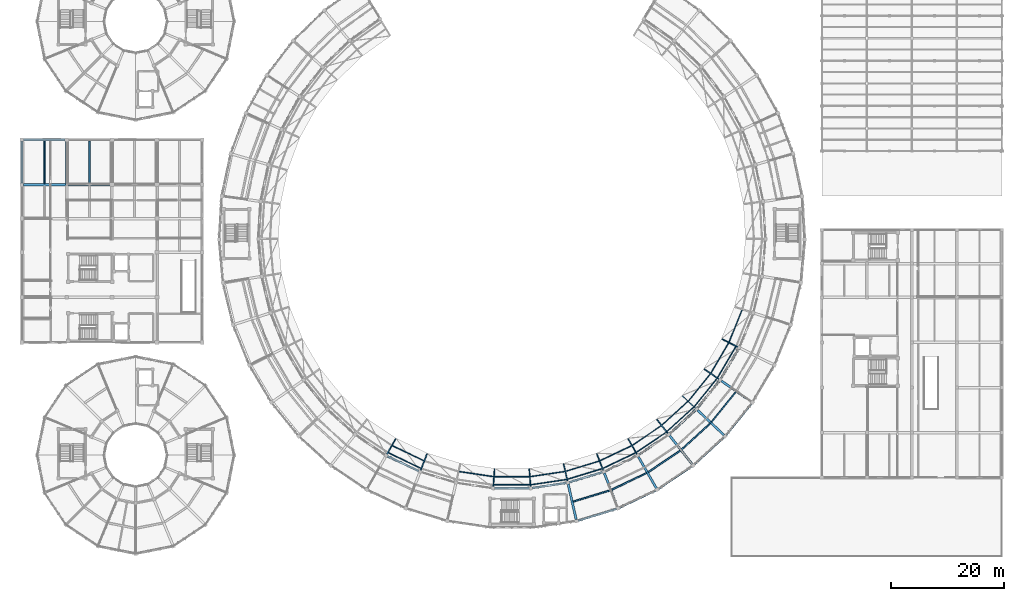
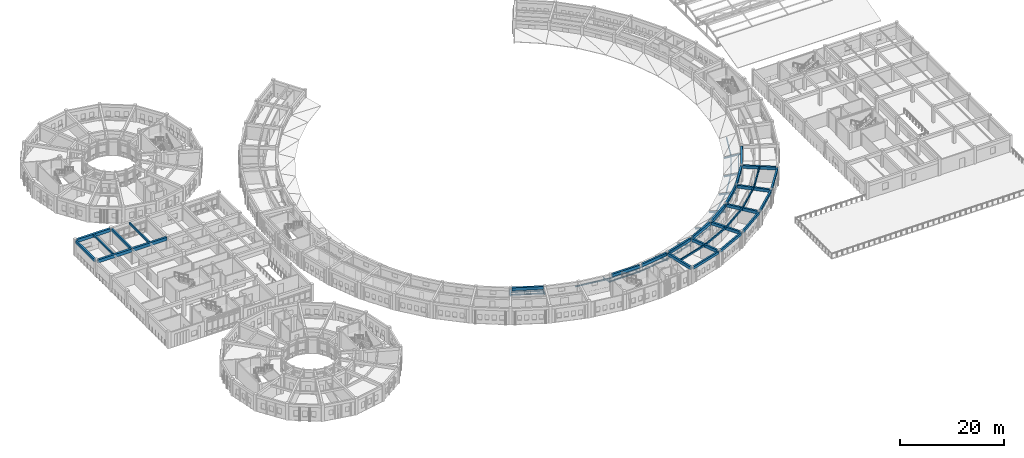
# One storey, part 21 of 112: 32 beams, 31 members.
"""IFC4 building model written with IfcOpenShell, lengths in metres."""

from ifc_helpers import new_model, si_unit, direction, frame, origin, origin_2d, place, context, subcontext, project, spatial, rectangle, i_section, extrude, material, material_profile, profile_set, type_object, element, save


model = new_model("IFC4")

# Units and contexts
model_context = context("Model", 3, precision=1e-05, world=origin(), true_north=direction((0.0, 1.0)))
body_context = subcontext(model_context, "Body", "Model", "MODEL_VIEW")
ifc_project = project(units=[si_unit("LENGTHUNIT", "METRE"), si_unit("AREAUNIT", "SQUARE_METRE"), si_unit("VOLUMEUNIT", "CUBIC_METRE"), si_unit("PLANEANGLEUNIT", "RADIAN"), si_unit("MASSUNIT", "GRAM", prefix="KILO")], contexts=[model_context])

# Site, building, storey
site_placement = place(None, origin())
site = spatial("IfcSite", under=ifc_project, at=site_placement, CompositionType="ELEMENT")
building_placement = place(site_placement, origin())
building = spatial("IfcBuilding", under=site, at=building_placement, Name="Celadon Cloister-Ring School", CompositionType="ELEMENT")
storey_placement = place(building_placement, frame((0.0, 0.0, 8.5)))
storey = spatial("IfcBuildingStorey", under=building, at=storey_placement, Name="L02", CompositionType="ELEMENT", Elevation=8.5)

# Beams
ifc_material_1 = material(Name="Concrete C35/45", Category="concrete")
ifc_material_profile_1 = material_profile(ifc_material_1, rectangle(XDim=0.35009765625, YDim=0.60009765625, at=origin_2d()), Name="RC350X600")
ifc_profile_set_1 = profile_set([ifc_material_profile_1], Name="Concrete C35/45")
beam_type_1 = type_object("IfcBeamType", Name="BT-02", PredefinedType="BEAM", material=ifc_profile_set_1)
beam_1_placement = place(storey_placement, frame((0.0, 68.300048828125, 3.4599609375), z_axis=(0.0, 1.0, 0.0), x_axis=(-1.0, 0.0, 0.0)))
element("IfcBeam", 1, at=beam_1_placement, inside=storey, type_object=beam_type_1, Name="Beam 1579", PredefinedType="BEAM", context=body_context, shape_type="SweptSolid", body=[
    extrude(rectangle(XDim=0.35009765625, YDim=0.60009765625, at=origin_2d()), origin(), (0.0, 0.0, 1.0), 7.39990234375),
])
beam_2_placement = place(storey_placement, frame((8.0, 68.0849609375, 3.4599609375), z_axis=(0.0, 1.0, 0.0), x_axis=(-1.0, 0.0, 0.0)))
element("IfcBeam", 2, at=beam_2_placement, inside=storey, type_object=beam_type_1, Name="Beam 1581", PredefinedType="BEAM", context=body_context, shape_type="SweptSolid", body=[
    extrude(rectangle(XDim=0.35009765625, YDim=0.60009765625, at=origin_2d()), origin(), (0.0, 0.0, 1.0), 7.614990234375),
])
ifc_material_2 = material(Name="Concrete C35/45", Category="concrete")
ifc_material_profile_2 = material_profile(ifc_material_2, rectangle(XDim=0.449951171875, YDim=0.75, at=origin_2d()), Name="RC450X750")
ifc_profile_set_2 = profile_set([ifc_material_profile_2], Name="Concrete C35/45")
beam_type_2 = type_object("IfcBeamType", Name="GT-02", PredefinedType="USERDEFINED", material=ifc_profile_set_2)
for number, where, z_axis, x_axis, name in (
    (3, (0.300048828125, 68.0, 3.385009765625), (1.0, 0.0, 0.0), (0.0, 1.0, 0.0), "Beam 1567"),
    (4, (8.0849609375, 68.0, 3.385009765625), (1.0, 0.0, 0.0), (0.0, 1.0, 0.0), "Beam 1568"),
):
    element("IfcBeam", number, at=place(storey_placement, frame(where, z_axis=z_axis, x_axis=x_axis)), inside=storey, type_object=beam_type_2, Name=name, ObjectType="GIRDER", PredefinedType="USERDEFINED", context=body_context, shape_type="SweptSolid", body=[
        extrude(rectangle(XDim=0.449951171875, YDim=0.75, at=origin_2d()), origin(), (0.0, 0.0, 1.0), 7.614990234375),
    ])
beam_3_placement = place(storey_placement, frame((0.300048828125, 76.0, 3.385009765625), z_axis=(1.0, 0.0, 0.0), x_axis=(0.0, 1.0, 0.0)))
element("IfcBeam", 5, at=beam_3_placement, inside=storey, type_object=beam_type_2, Name="Beam 1571", ObjectType="GIRDER", PredefinedType="USERDEFINED", context=body_context, shape_type="SweptSolid", body=[
    extrude(rectangle(XDim=0.449951171875, YDim=0.75, at=origin_2d()), origin(), (0.0, 0.0, 1.0), 7.39990234375),
])
ifc_material_3 = material(Name="Concrete C35/45", Category="concrete")
ifc_material_profile_3 = material_profile(ifc_material_3, rectangle(XDim=0.39990234375, YDim=0.699951171875, at=origin_2d()), Name="RC400X700")
ifc_profile_set_3 = profile_set([ifc_material_profile_3], Name="Concrete C35/45")
beam_type_3 = type_object("IfcBeamType", Name="GT-03", PredefinedType="USERDEFINED", material=ifc_profile_set_3)
for number, where, z_axis, x_axis, name in (
    (6, (98.409912109375, 8.549072265625, 3.449951171875), (-0.220525868095, 0.975381126279, 0.0), (-0.975381126279, -0.220525868095, 0.0), "Beam 0413"),
    (7, (105.738037109375, 10.7880859375, 3.449951171875), (-0.362135117288, 0.932125612151, 0.0), (-0.932125612151, -0.362135117288, 0.0), "Beam 0414"),
):
    element("IfcBeam", number, at=place(storey_placement, frame(where, z_axis=z_axis, x_axis=x_axis)), inside=storey, type_object=beam_type_3, Name=name, ObjectType="GIRDER", PredefinedType="USERDEFINED", context=body_context, shape_type="SweptSolid", body=[
        extrude(rectangle(XDim=0.39990234375, YDim=0.699951171875, at=origin_2d()), origin(), (0.0, 0.0, 1.0), 6.475341796875),
    ])
for number, where, z_axis, x_axis, name in (
    (8, (112.656005859375, 14.0859375, 3.449951171875), (-0.495992767918, 0.86832665177, 0.0), (-0.86832665177, -0.495992767918, 0.0), "Beam 0415"),
    (9, (119.010009765625, 18.368896484375, 3.449951171875), (-0.618778472882, 0.785565529729, 0.0), (-0.785565529729, -0.618778472882, 0.0), "Beam 0416"),
    (10, (124.662109375, 23.5439453125, 3.449951171875), (-0.728104801202, 0.685465825892, 0.0), (-0.685465825892, -0.728104801202, 0.0), "Beam 0417"),
):
    element("IfcBeam", number, at=place(storey_placement, frame(where, z_axis=z_axis, x_axis=x_axis)), inside=storey, type_object=beam_type_3, Name=name, ObjectType="GIRDER", PredefinedType="USERDEFINED", context=body_context, shape_type="SweptSolid", body=[
        extrude(rectangle(XDim=0.39990234375, YDim=0.699951171875, at=origin_2d()), origin(), (0.0, 0.0, 1.0), 6.475830078125),
    ])
beam_4_placement = place(storey_placement, frame((129.486083984375, 29.498046875, 3.449951171875), z_axis=(-0.821508813068, 0.570195817286, 0.0), x_axis=(-0.570195817286, -0.821508813068, 0.0)))
element("IfcBeam", 11, at=beam_4_placement, inside=storey, type_object=beam_type_3, Name="Beam 0418", ObjectType="GIRDER", PredefinedType="USERDEFINED", context=body_context, shape_type="SweptSolid", body=[
    extrude(rectangle(XDim=0.39990234375, YDim=0.699951171875, at=origin_2d()), origin(), (0.0, 0.0, 1.0), 6.474853515625),
])
for number, where, z_axis, x_axis, name in (
    (12, (64.906005859375, 19.818115234375, 3.449951171875), (0.902694312047, -0.43028244096, 0.0), (0.43028244096, 0.902694312047, 0.0), "Beam 0470"),
    (13, (83.9169921875, 14.1240234375, 3.449951171875), (1.0, 0.0, 0.0), (0.0, 1.0, 0.0), "Beam 0476"),
):
    element("IfcBeam", number, at=place(storey_placement, frame(where, z_axis=z_axis, x_axis=x_axis)), inside=storey, type_object=beam_type_3, Name=name, ObjectType="GIRDER", PredefinedType="USERDEFINED", context=body_context, shape_type="SweptSolid", body=[
        extrude(rectangle(XDim=0.39990234375, YDim=0.699951171875, at=origin_2d()), origin(), (0.0, 0.0, 1.0), 6.166015625),
    ])
beam_5_placement = place(storey_placement, frame((90.580078125, 14.160888671875, 3.449951171875), z_axis=(0.989027626238, 0.147730682454, 0.0), x_axis=(-0.147730682454, 0.989027626238, 0.0)))
element("IfcBeam", 14, at=beam_5_placement, inside=storey, type_object=beam_type_3, Name="Beam 0477", ObjectType="GIRDER", PredefinedType="USERDEFINED", context=body_context, shape_type="SweptSolid", body=[
    extrude(rectangle(XDim=0.39990234375, YDim=0.699951171875, at=origin_2d()), origin(), (0.0, 0.0, 1.0), 6.16748046875),
])
beam_6_placement = place(storey_placement, frame((97.166015625, 15.181884765625, 3.449951171875), z_axis=(0.956344808861, 0.292240665488, 0.0), x_axis=(-0.292240665488, 0.956344808861, 0.0)))
element("IfcBeam", 15, at=beam_6_placement, inside=storey, type_object=beam_type_3, Name="Beam 0479", ObjectType="GIRDER", PredefinedType="USERDEFINED", context=body_context, shape_type="SweptSolid", body=[
    extrude(rectangle(XDim=0.39990234375, YDim=0.699951171875, at=origin_2d()), origin(), (0.0, 0.0, 1.0), 6.166259765625),
])
beam_7_placement = place(storey_placement, frame((103.528076171875, 17.1650390625, 3.449951171875), z_axis=(0.902694312047, 0.43028244096, 0.0), x_axis=(-0.43028244096, 0.902694312047, 0.0)))
element("IfcBeam", 16, at=beam_7_placement, inside=storey, type_object=beam_type_3, Name="Beam 0482", ObjectType="GIRDER", PredefinedType="USERDEFINED", context=body_context, shape_type="SweptSolid", body=[
    extrude(rectangle(XDim=0.39990234375, YDim=0.699951171875, at=origin_2d()), origin(), (0.0, 0.0, 1.0), 6.166015625),
])
beam_8_placement = place(storey_placement, frame((109.527099609375, 20.06591796875, 3.449951171875), z_axis=(0.82929315026, 0.558813807033, 0.0), x_axis=(-0.558813807033, 0.82929315026, 0.0)))
element("IfcBeam", 17, at=beam_8_placement, inside=storey, type_object=beam_type_3, Name="Beam 0485", ObjectType="GIRDER", PredefinedType="USERDEFINED", context=body_context, shape_type="SweptSolid", body=[
    extrude(rectangle(XDim=0.39990234375, YDim=0.699951171875, at=origin_2d()), origin(), (0.0, 0.0, 1.0), 6.166748046875),
])
beam_9_placement = place(storey_placement, frame((115.031982421875, 23.821044921875, 3.449951171875), z_axis=(0.737632141612, 0.675202801875, 0.0), x_axis=(-0.675202801875, 0.737632141612, 0.0)))
element("IfcBeam", 18, at=beam_9_placement, inside=storey, type_object=beam_type_3, Name="Beam 0488", ObjectType="GIRDER", PredefinedType="USERDEFINED", context=body_context, shape_type="SweptSolid", body=[
    extrude(rectangle(XDim=0.39990234375, YDim=0.699951171875, at=origin_2d()), origin(), (0.0, 0.0, 1.0), 6.167236328125),
])
beam_10_placement = place(storey_placement, frame((119.922119140625, 28.347900390625, 3.449951171875), z_axis=(0.629626347121, 0.776898103364, 0.0), x_axis=(-0.776898103364, 0.629626347121, 0.0)))
element("IfcBeam", 19, at=beam_10_placement, inside=storey, type_object=beam_type_3, Name="Beam 0491", ObjectType="GIRDER", PredefinedType="USERDEFINED", context=body_context, shape_type="SweptSolid", body=[
    extrude(rectangle(XDim=0.39990234375, YDim=0.699951171875, at=origin_2d()), origin(), (0.0, 0.0, 1.0), 6.166748046875),
])
beam_11_placement = place(storey_placement, frame((124.089111328125, 33.548095703125, 3.449951171875), z_axis=(0.507926281774, 0.861400541144, 0.0), x_axis=(-0.861400541144, 0.507926281774, 0.0)))
element("IfcBeam", 20, at=beam_11_placement, inside=storey, type_object=beam_type_3, Name="Beam 0494", ObjectType="GIRDER", PredefinedType="USERDEFINED", context=body_context, shape_type="SweptSolid", body=[
    extrude(rectangle(XDim=0.39990234375, YDim=0.699951171875, at=origin_2d()), origin(), (0.0, 0.0, 1.0), 6.16796875),
])
ifc_material_4 = material(Name="Concrete C35/45", Category="concrete")
ifc_material_profile_4 = material_profile(ifc_material_4, rectangle(XDim=0.300048828125, YDim=0.449951171875, at=origin_2d()), Name="RC300X450")
ifc_profile_set_4 = profile_set([ifc_material_profile_4], Name="Concrete C35/45")
beam_type_4 = type_object("IfcBeamType", Name="JT-01", PredefinedType="JOIST", material=ifc_profile_set_4)
for number, where, z_axis, x_axis, name in (
    (21, (4.0, 68.199951171875, 3.534912109375), (0.0, 1.0, 0.0), (-1.0, 0.0, 0.0), "Beam 1595"),
    (22, (12.0, 68.199951171875, 3.534912109375), (0.0, 1.0, 0.0), (-1.0, 0.0, 0.0), "Beam 1597"),
):
    element("IfcBeam", number, at=place(storey_placement, frame(where, z_axis=z_axis, x_axis=x_axis)), inside=storey, type_object=beam_type_4, Name=name, PredefinedType="JOIST", context=body_context, shape_type="SweptSolid", body=[
        extrude(rectangle(XDim=0.300048828125, YDim=0.449951171875, at=origin_2d()), origin(), (0.0, 0.0, 1.0), 7.60009765625),
    ])
ifc_material_5 = material(Name="Concrete C35/45", Category="concrete")
ifc_material_profile_5 = material_profile(ifc_material_5, rectangle(XDim=0.25, YDim=0.39990234375, at=origin_2d()), Name="RC250X400")
ifc_profile_set_5 = profile_set([ifc_material_profile_5], Name="Concrete C35/45")
beam_type_5 = type_object("IfcBeamType", Name="JT-02", PredefinedType="JOIST", material=ifc_profile_set_5)
beam_12_placement = place(storey_placement, frame((97.865966796875, 11.74609375, 3.60009765625), z_axis=(0.956337152336, 0.292265719957, 0.0), x_axis=(-0.292265719957, 0.956337152336, 0.0)))
element("IfcBeam", 23, at=beam_12_placement, inside=storey, type_object=beam_type_5, Name="Beam 0480", PredefinedType="JOIST", context=body_context, shape_type="SweptSolid", body=[
    extrude(rectangle(XDim=0.25, YDim=0.39990234375, at=origin_2d()), origin(), (0.0, 0.0, 1.0), 6.83544921875),
])
beam_13_placement = place(storey_placement, frame((104.72802734375, 13.8701171875, 3.60009765625), z_axis=(0.902698033941, 0.43027463267, 0.0), x_axis=(-0.43027463267, 0.902698033941, 0.0)))
element("IfcBeam", 24, at=beam_13_placement, inside=storey, type_object=beam_type_5, Name="Beam 0483", PredefinedType="JOIST", context=body_context, shape_type="SweptSolid", body=[
    extrude(rectangle(XDim=0.25, YDim=0.39990234375, at=origin_2d()), origin(), (0.0, 0.0, 1.0), 6.8349609375),
])
beam_14_placement = place(storey_placement, frame((111.200927734375, 16.98388671875, 3.60009765625), z_axis=(0.829176460094, 0.558986939048, 0.0), x_axis=(-0.558986939048, 0.829176460094, 0.0)))
element("IfcBeam", 25, at=beam_14_placement, inside=storey, type_object=beam_type_5, Name="Beam 0486", PredefinedType="JOIST", context=body_context, shape_type="SweptSolid", body=[
    extrude(rectangle(XDim=0.25, YDim=0.39990234375, at=origin_2d()), origin(), (0.0, 0.0, 1.0), 6.835693359375),
])
beam_15_placement = place(storey_placement, frame((117.14306640625, 21.02099609375, 3.60009765625), z_axis=(0.737515802412, 0.675329875833, 0.0), x_axis=(-0.675329875833, 0.737515802412, 0.0)))
element("IfcBeam", 26, at=beam_15_placement, inside=storey, type_object=beam_type_5, Name="Beam 0489", PredefinedType="JOIST", context=body_context, shape_type="SweptSolid", body=[
    extrude(rectangle(XDim=0.25, YDim=0.39990234375, at=origin_2d()), origin(), (0.0, 0.0, 1.0), 6.835205078125),
])
beam_16_placement = place(storey_placement, frame((122.423095703125, 25.89111328125, 3.60009765625), z_axis=(0.629687207375, 0.776848776062, 0.0), x_axis=(-0.776848776062, 0.629687207375, 0.0)))
element("IfcBeam", 27, at=beam_16_placement, inside=storey, type_object=beam_type_5, Name="Beam 0492", PredefinedType="JOIST", context=body_context, shape_type="SweptSolid", body=[
    extrude(rectangle(XDim=0.25, YDim=0.39990234375, at=origin_2d()), origin(), (0.0, 0.0, 1.0), 6.8349609375),
])

# Members
ifc_material_6 = material(Name="Structural steel S355JR", Category="steel")
ifc_material_profile_6 = material_profile(ifc_material_6, i_section(OverallWidth=0.133056640625, OverallDepth=0.20703125, WebThickness=0.005859375, FlangeThickness=0.00830078125, at=origin_2d()), Name="W200X27")
ifc_profile_set_6 = profile_set([ifc_material_profile_6], Name="Structural steel S355JR")
member_type_1 = type_object("IfcMemberType", Name="MP-04", PredefinedType="PURLIN", material=ifc_profile_set_6)
member_1_placement = place(storey_placement, frame((65.697021484375, 21.7060546875, 1.23291015625), z_axis=(0.902658266924, -0.43035805227, 0.0), x_axis=(0.43035805227, 0.902658266924, 0.0)))
element("IfcMember", 28, at=member_1_placement, inside=storey, type_object=member_type_1, Name="Structural Member 0146", PredefinedType="PURLIN", context=body_context, shape_type="SweptSolid", body=[
    extrude(i_section(OverallWidth=0.133056640625, OverallDepth=0.20703125, WebThickness=0.005859375, FlangeThickness=0.00830078125, at=origin_2d()), origin(), (0.0, 0.0, 1.0), 6.3623046875),
])
member_2_placement = place(storey_placement, frame((64.97705078125, 20.447021484375, 1.62890625), z_axis=(0.902657361067, -0.430359952263, 0.0), x_axis=(0.430359952263, 0.902657361067, 0.0)))
element("IfcMember", 29, at=member_2_placement, inside=storey, type_object=member_type_1, Name="Structural Member 0147", PredefinedType="PURLIN", context=body_context, shape_type="SweptSolid", body=[
    extrude(i_section(OverallWidth=0.133056640625, OverallDepth=0.20703125, WebThickness=0.005859375, FlangeThickness=0.00830078125, at=origin_2d()), origin(), (0.0, 0.0, 1.0), 6.578369140625),
])
member_3_placement = place(storey_placement, frame((77.52490234375, 17.10791015625, 1.23291015625), z_axis=(0.989032660347, -0.147696976158, 0.0), x_axis=(0.147696976158, 0.989032660347, 0.0)))
element("IfcMember", 30, at=member_3_placement, inside=storey, type_object=member_type_1, Name="Structural Member 0157", PredefinedType="PURLIN", context=body_context, shape_type="SweptSolid", body=[
    extrude(i_section(OverallWidth=0.133056640625, OverallDepth=0.20703125, WebThickness=0.005859375, FlangeThickness=0.00830078125, at=origin_2d()), origin(), (0.0, 0.0, 1.0), 6.364013671875),
])
member_4_placement = place(storey_placement, frame((83.819091796875, 16.16796875, 1.23291015625), z_axis=(1.0, 0.0, 0.0), x_axis=(0.0, 1.0, 0.0)))
element("IfcMember", 31, at=member_4_placement, inside=storey, type_object=member_type_1, Name="Structural Member 0162", PredefinedType="PURLIN", context=body_context, shape_type="SweptSolid", body=[
    extrude(i_section(OverallWidth=0.133056640625, OverallDepth=0.20703125, WebThickness=0.005859375, FlangeThickness=0.00830078125, at=origin_2d()), origin(), (0.0, 0.0, 1.0), 6.36181640625),
])
member_5_placement = place(storey_placement, frame((83.7109375, 14.721923828125, 1.62890625), z_axis=(1.0, 0.0, 0.0), x_axis=(0.0, 1.0, 0.0)))
element("IfcMember", 32, at=member_5_placement, inside=storey, type_object=member_type_1, Name="Structural Member 0163", PredefinedType="PURLIN", context=body_context, shape_type="SweptSolid", body=[
    extrude(i_section(OverallWidth=0.133056640625, OverallDepth=0.20703125, WebThickness=0.005859375, FlangeThickness=0.00830078125, at=origin_2d()), origin(), (0.0, 0.0, 1.0), 6.578125),
])
member_6_placement = place(storey_placement, frame((90.180908203125, 16.16796875, 1.23291015625), z_axis=(0.989032660347, 0.147696976158, 0.0), x_axis=(-0.147696976158, 0.989032660347, 0.0)))
element("IfcMember", 33, at=member_6_placement, inside=storey, type_object=member_type_1, Name="Structural Member 0167", PredefinedType="PURLIN", context=body_context, shape_type="SweptSolid", body=[
    extrude(i_section(OverallWidth=0.133056640625, OverallDepth=0.20703125, WebThickness=0.005859375, FlangeThickness=0.00830078125, at=origin_2d()), origin(), (0.0, 0.0, 1.0), 6.364013671875),
])
member_7_placement = place(storey_placement, frame((90.2890625, 14.721923828125, 1.62890625), z_axis=(0.989015714028, 0.147810410346, 0.0), x_axis=(-0.147810410346, 0.989015714028, 0.0)))
element("IfcMember", 34, at=member_7_placement, inside=storey, type_object=member_type_1, Name="Structural Member 0168", PredefinedType="PURLIN", context=body_context, shape_type="SweptSolid", body=[
    extrude(i_section(OverallWidth=0.133056640625, OverallDepth=0.20703125, WebThickness=0.005859375, FlangeThickness=0.00830078125, at=origin_2d()), origin(), (0.0, 0.0, 1.0), 6.5771484375),
])
member_8_placement = place(storey_placement, frame((96.47509765625, 17.10791015625, 1.23291015625), z_axis=(0.956315821171, 0.292335509609, 0.0), x_axis=(-0.292335509609, 0.956315821171, 0.0)))
element("IfcMember", 35, at=member_8_placement, inside=storey, type_object=member_type_1, Name="Structural Member 0172", PredefinedType="PURLIN", context=body_context, shape_type="SweptSolid", body=[
    extrude(i_section(OverallWidth=0.133056640625, OverallDepth=0.20703125, WebThickness=0.005859375, FlangeThickness=0.00830078125, at=origin_2d()), origin(), (0.0, 0.0, 1.0), 6.363037109375),
])
member_9_placement = place(storey_placement, frame((96.7939453125, 15.694091796875, 1.62890625), z_axis=(0.956367704077, 0.292165731391, 0.0), x_axis=(-0.292165731391, 0.956367704077, 0.0)))
element("IfcMember", 36, at=member_9_placement, inside=storey, type_object=member_type_1, Name="Structural Member 0173", PredefinedType="PURLIN", context=body_context, shape_type="SweptSolid", body=[
    extrude(i_section(OverallWidth=0.133056640625, OverallDepth=0.20703125, WebThickness=0.005859375, FlangeThickness=0.00830078125, at=origin_2d()), origin(), (0.0, 0.0, 1.0), 6.578125),
])
member_10_placement = place(storey_placement, frame((102.56005859375, 18.968017578125, 1.23291015625), z_axis=(0.902658266924, 0.43035805227, 0.0), x_axis=(-0.43035805227, 0.902658266924, 0.0)))
element("IfcMember", 37, at=member_10_placement, inside=storey, type_object=member_type_1, Name="Structural Member 0177", PredefinedType="PURLIN", context=body_context, shape_type="SweptSolid", body=[
    extrude(i_section(OverallWidth=0.133056640625, OverallDepth=0.20703125, WebThickness=0.005859375, FlangeThickness=0.00830078125, at=origin_2d()), origin(), (0.0, 0.0, 1.0), 6.3623046875),
])
member_11_placement = place(storey_placement, frame((103.0849609375, 17.615966796875, 1.62890625), z_axis=(0.902657361067, 0.430359952263, 0.0), x_axis=(-0.430359952263, 0.902657361067, 0.0)))
element("IfcMember", 38, at=member_11_placement, inside=storey, type_object=member_type_1, Name="Structural Member 0178", PredefinedType="PURLIN", context=body_context, shape_type="SweptSolid", body=[
    extrude(i_section(OverallWidth=0.133056640625, OverallDepth=0.20703125, WebThickness=0.005859375, FlangeThickness=0.00830078125, at=origin_2d()), origin(), (0.0, 0.0, 1.0), 6.578369140625),
])
member_12_placement = place(storey_placement, frame((108.302978515625, 21.7060546875, 1.23291015625), z_axis=(0.829247484515, 0.558881570125, 0.0), x_axis=(-0.558881570125, 0.829247484515, 0.0)))
element("IfcMember", 39, at=member_12_placement, inside=storey, type_object=member_type_1, Name="Structural Member 0183", PredefinedType="PURLIN", context=body_context, shape_type="SweptSolid", body=[
    extrude(i_section(OverallWidth=0.133056640625, OverallDepth=0.20703125, WebThickness=0.005859375, FlangeThickness=0.00830078125, at=origin_2d()), origin(), (0.0, 0.0, 1.0), 6.362548828125),
])
member_13_placement = place(storey_placement, frame((109.02294921875, 20.447021484375, 1.62890625), z_axis=(0.829235761347, 0.558898964127, 0.0), x_axis=(-0.558898964127, 0.829235761347, 0.0)))
element("IfcMember", 40, at=member_13_placement, inside=storey, type_object=member_type_1, Name="Structural Member 0184", PredefinedType="PURLIN", context=body_context, shape_type="SweptSolid", body=[
    extrude(i_section(OverallWidth=0.133056640625, OverallDepth=0.20703125, WebThickness=0.005859375, FlangeThickness=0.00830078125, at=origin_2d()), origin(), (0.0, 0.0, 1.0), 6.5771484375),
])
member_14_placement = place(storey_placement, frame((113.5791015625, 25.261962890625, 1.23291015625), z_axis=(0.737520342985, 0.67532491712, 0.0), x_axis=(-0.67532491712, 0.737520342985, 0.0)))
element("IfcMember", 41, at=member_14_placement, inside=storey, type_object=member_type_1, Name="Structural Member 0188", PredefinedType="PURLIN", context=body_context, shape_type="SweptSolid", body=[
    extrude(i_section(OverallWidth=0.133056640625, OverallDepth=0.20703125, WebThickness=0.005859375, FlangeThickness=0.00830078125, at=origin_2d()), origin(), (0.0, 0.0, 1.0), 6.363037109375),
])
member_15_placement = place(storey_placement, frame((114.47705078125, 24.123046875, 1.62890625), z_axis=(0.737509956532, 0.67533625996, 0.0), x_axis=(-0.67533625996, 0.737509956532, 0.0)))
element("IfcMember", 42, at=member_15_placement, inside=storey, type_object=member_type_1, Name="Structural Member 0189", PredefinedType="PURLIN", context=body_context, shape_type="SweptSolid", body=[
    extrude(i_section(OverallWidth=0.133056640625, OverallDepth=0.20703125, WebThickness=0.005859375, FlangeThickness=0.00830078125, at=origin_2d()), origin(), (0.0, 0.0, 1.0), 6.577392578125),
])
member_16_placement = place(storey_placement, frame((118.27197265625, 29.55908203125, 1.23291015625), z_axis=(0.629664944738, 0.77686682087, 0.0), x_axis=(-0.77686682087, 0.629664944738, 0.0)))
element("IfcMember", 43, at=member_16_placement, inside=storey, type_object=member_type_1, Name="Structural Member 0193", PredefinedType="PURLIN", context=body_context, shape_type="SweptSolid", body=[
    extrude(i_section(OverallWidth=0.133056640625, OverallDepth=0.20703125, WebThickness=0.005859375, FlangeThickness=0.00830078125, at=origin_2d()), origin(), (0.0, 0.0, 1.0), 6.36376953125),
])
member_17_placement = place(storey_placement, frame((119.327880859375, 28.56494140625, 1.62890625), z_axis=(0.629615554014, 0.776906850365, 0.0), x_axis=(-0.776906850365, 0.629615554014, 0.0)))
element("IfcMember", 44, at=member_17_placement, inside=storey, type_object=member_type_1, Name="Structural Member 0194", PredefinedType="PURLIN", context=body_context, shape_type="SweptSolid", body=[
    extrude(i_section(OverallWidth=0.133056640625, OverallDepth=0.20703125, WebThickness=0.005859375, FlangeThickness=0.00830078125, at=origin_2d()), origin(), (0.0, 0.0, 1.0), 6.578857421875),
])
member_18_placement = place(storey_placement, frame((122.279052734375, 34.5029296875, 1.23291015625), z_axis=(0.507935382075, 0.861395175071, 0.0), x_axis=(-0.861395175071, 0.507935382075, 0.0)))
element("IfcMember", 45, at=member_18_placement, inside=storey, type_object=member_type_1, Name="Structural Member 0198", PredefinedType="PURLIN", context=body_context, shape_type="SweptSolid", body=[
    extrude(i_section(OverallWidth=0.133056640625, OverallDepth=0.20703125, WebThickness=0.005859375, FlangeThickness=0.00830078125, at=origin_2d()), origin(), (0.0, 0.0, 1.0), 6.36279296875),
])
member_19_placement = place(storey_placement, frame((123.469970703125, 33.676025390625, 1.62890625), z_axis=(0.507936297224, 0.861394635439, 0.0), x_axis=(-0.861394635439, 0.507936297224, 0.0)))
element("IfcMember", 46, at=member_19_placement, inside=storey, type_object=member_type_1, Name="Structural Member 0199", PredefinedType="PURLIN", context=body_context, shape_type="SweptSolid", body=[
    extrude(i_section(OverallWidth=0.133056640625, OverallDepth=0.20703125, WebThickness=0.005859375, FlangeThickness=0.00830078125, at=origin_2d()), origin(), (0.0, 0.0, 1.0), 6.57763671875),
])
member_20_placement = place(storey_placement, frame((125.510986328125, 39.98388671875, 1.23291015625), z_axis=(0.375138594984, 0.926968734399, 0.0), x_axis=(-0.926968734399, 0.375138594984, 0.0)))
element("IfcMember", 47, at=member_20_placement, inside=storey, type_object=member_type_1, Name="Structural Member 0203", PredefinedType="PURLIN", context=body_context, shape_type="SweptSolid", body=[
    extrude(i_section(OverallWidth=0.133056640625, OverallDepth=0.20703125, WebThickness=0.005859375, FlangeThickness=0.00830078125, at=origin_2d()), origin(), (0.0, 0.0, 1.0), 6.36279296875),
])
ifc_material_7 = material(Name="Structural steel S355JR", Category="steel")
ifc_material_profile_7 = material_profile(ifc_material_7, i_section(OverallWidth=0.14599609375, OverallDepth=0.258056640625, WebThickness=0.006103515625, FlangeThickness=0.009033203125, at=origin_2d()), Name="W250X33")
ifc_profile_set_7 = profile_set([ifc_material_profile_7], Name="Structural steel S355JR")
member_type_2 = type_object("IfcMemberType", Name="MR-06", PredefinedType="RAFTER", material=ifc_profile_set_7)
member_21_placement = place(storey_placement, frame((66.365966796875, 22.8779296875, 0.912109375), z_axis=(-0.478958263878, -0.838863400573, 0.258664216006), x_axis=(0.868418010799, -0.495832792905, 0.0)))
element("IfcMember", 48, at=member_21_placement, inside=storey, type_object=member_type_2, Name="Structural Member 0029", PredefinedType="RAFTER", context=body_context, shape_type="SweptSolid", body=[
    extrude(i_section(OverallWidth=0.14599609375, OverallDepth=0.258056640625, WebThickness=0.006103515625, FlangeThickness=0.009033203125, at=origin_2d()), origin(), (0.0, 0.0, 1.0), 3.4677734375),
])
member_22_placement = place(storey_placement, frame((71.928955078125, 20.22607421875, 0.9130859375), z_axis=(-0.349707812963, -0.900455383138, 0.258620471986), x_axis=(0.932168682784, -0.362024235152, 0.0)))
element("IfcMember", 49, at=member_22_placement, inside=storey, type_object=member_type_2, Name="Structural Member 0031", PredefinedType="RAFTER", context=body_context, shape_type="SweptSolid", body=[
    extrude(i_section(OverallWidth=0.14599609375, OverallDepth=0.258056640625, WebThickness=0.006103515625, FlangeThickness=0.009033203125, at=origin_2d()), origin(), (0.0, 0.0, 1.0), 3.46826171875),
])
for number, where, z_axis, x_axis, name in (
    (50, (83.9189453125, 17.513916015625, 0.9130859375), (-0.071804188624, -0.96330246778, 0.258635871574), (0.99723344662, -0.074333390496, 0.0), "Structural Member 0035"),
    (51, (90.0810546875, 17.513916015625, 0.9130859375), (0.071804188624, -0.96330246778, 0.258635871574), (0.99723344662, 0.074333390496, 0.0), "Structural Member 0037"),
):
    element("IfcMember", number, at=place(storey_placement, frame(where, z_axis=z_axis, x_axis=x_axis)), inside=storey, type_object=member_type_2, Name=name, PredefinedType="RAFTER", context=body_context, shape_type="SweptSolid", body=[
        extrude(i_section(OverallWidth=0.14599609375, OverallDepth=0.258056640625, WebThickness=0.006103515625, FlangeThickness=0.009033203125, at=origin_2d()), origin(), (0.0, 0.0, 1.0), 3.468017578125),
    ])
member_23_placement = place(storey_placement, frame((96.177001953125, 18.425048828125, 0.9130859375), z_axis=(0.213060207767, -0.94219489302, 0.258600331462), x_axis=(0.975372779542, 0.220562782285, 0.0)))
element("IfcMember", 52, at=member_23_placement, inside=storey, type_object=member_type_2, Name="Structural Member 0039", PredefinedType="RAFTER", context=body_context, shape_type="SweptSolid", body=[
    extrude(i_section(OverallWidth=0.14599609375, OverallDepth=0.258056640625, WebThickness=0.006103515625, FlangeThickness=0.009033203125, at=origin_2d()), origin(), (0.0, 0.0, 1.0), 3.468505859375),
])
member_24_placement = place(storey_placement, frame((102.071044921875, 20.22607421875, 0.9130859375), z_axis=(0.349707812963, -0.900455383138, 0.258620471986), x_axis=(0.932168682784, 0.362024235152, 0.0)))
element("IfcMember", 53, at=member_24_placement, inside=storey, type_object=member_type_2, Name="Structural Member 0041", PredefinedType="RAFTER", context=body_context, shape_type="SweptSolid", body=[
    extrude(i_section(OverallWidth=0.14599609375, OverallDepth=0.258056640625, WebThickness=0.006103515625, FlangeThickness=0.009033203125, at=origin_2d()), origin(), (0.0, 0.0, 1.0), 3.46826171875),
])
member_25_placement = place(storey_placement, frame((107.634033203125, 22.8779296875, 0.912109375), z_axis=(0.478958263878, -0.838863400573, 0.258664216006), x_axis=(0.868418010799, 0.495832792905, 0.0)))
element("IfcMember", 54, at=member_25_placement, inside=storey, type_object=member_type_2, Name="Structural Member 0043", PredefinedType="RAFTER", context=body_context, shape_type="SweptSolid", body=[
    extrude(i_section(OverallWidth=0.14599609375, OverallDepth=0.258056640625, WebThickness=0.006103515625, FlangeThickness=0.009033203125, at=origin_2d()), origin(), (0.0, 0.0, 1.0), 3.4677734375),
])
for number, where, z_axis, x_axis, name in (
    (55, (112.743896484375, 26.322998046875, 0.912109375), (0.597683158078, -0.758876707954, 0.258613581766), (0.785602222618, 0.618731886861, 0.0), "Structural Member 0045"),
    (56, (117.2890625, 30.485107421875, 0.912109375), (0.703193987834, -0.662297520674, 0.258612083213), (0.685621501791, 0.727958210532, 0.0), "Structural Member 0047"),
):
    element("IfcMember", number, at=place(storey_placement, frame(where, z_axis=z_axis, x_axis=x_axis)), inside=storey, type_object=member_type_2, Name=name, PredefinedType="RAFTER", context=body_context, shape_type="SweptSolid", body=[
        extrude(i_section(OverallWidth=0.14599609375, OverallDepth=0.258056640625, WebThickness=0.006103515625, FlangeThickness=0.009033203125, at=origin_2d()), origin(), (0.0, 0.0, 1.0), 3.468505859375),
    ])
member_26_placement = place(storey_placement, frame((121.169921875, 35.27294921875, 0.912109375), z_axis=(0.793347971613, -0.551076905734, 0.258675936076), x_axis=(0.570494152945, 0.821301662883, 0.0)))
element("IfcMember", 57, at=member_26_placement, inside=storey, type_object=member_type_2, Name="Structural Member 0049", PredefinedType="RAFTER", context=body_context, shape_type="SweptSolid", body=[
    extrude(i_section(OverallWidth=0.14599609375, OverallDepth=0.258056640625, WebThickness=0.006103515625, FlangeThickness=0.009033203125, at=origin_2d()), origin(), (0.0, 0.0, 1.0), 3.467529296875),
])
member_27_placement = place(storey_placement, frame((124.300048828125, 40.5810546875, 0.9130859375), z_axis=(0.86615179345, -0.427655408421, 0.258634727661), x_axis=(0.442718830222, 0.896660491695, 0.0)))
element("IfcMember", 58, at=member_27_placement, inside=storey, type_object=member_type_2, Name="Structural Member 0051", PredefinedType="RAFTER", context=body_context, shape_type="SweptSolid", body=[
    extrude(i_section(OverallWidth=0.14599609375, OverallDepth=0.258056640625, WebThickness=0.006103515625, FlangeThickness=0.009033203125, at=origin_2d()), origin(), (0.0, 0.0, 1.0), 3.468017578125),
])

# Beams
ifc_material_8 = material(Name="Concrete C35/45", Category="concrete")
ifc_material_profile_8 = material_profile(ifc_material_8, rectangle(XDim=0.35009765625, YDim=0.60009765625, at=origin_2d()), Name="RC350X600")
ifc_profile_set_8 = profile_set([ifc_material_profile_8], Name="Concrete C35/45")
beam_type_6 = type_object("IfcBeamType", Name="SP-01", PredefinedType="SPANDREL", material=ifc_profile_set_8)
beam_17_placement = place(storey_placement, frame((98.73388671875, 8.361083984375, 3.5), z_axis=(0.956332228316, 0.292281831601, 0.0), x_axis=(-0.292281831601, 0.956332228316, 0.0)))
element("IfcBeam", 59, at=beam_17_placement, inside=storey, type_object=beam_type_6, Name="Beam 0478", PredefinedType="SPANDREL", context=body_context, shape_type="SweptSolid", body=[
    extrude(rectangle(XDim=0.35009765625, YDim=0.60009765625, at=origin_2d()), origin(), (0.0, 0.0, 1.0), 7.1533203125),
])
beam_18_placement = place(storey_placement, frame((106.0859375, 10.64990234375, 3.5), z_axis=(0.90265099943, 0.430373295207, 0.0), x_axis=(-0.430373295207, 0.90265099943, 0.0)))
element("IfcBeam", 60, at=beam_18_placement, inside=storey, type_object=beam_type_6, Name="Beam 0481", PredefinedType="SPANDREL", context=body_context, shape_type="SweptSolid", body=[
    extrude(rectangle(XDim=0.35009765625, YDim=0.60009765625, at=origin_2d()), origin(), (0.0, 0.0, 1.0), 7.154541015625),
])
for number, where, z_axis, x_axis, name in (
    (61, (113.02001953125, 14.0009765625, 3.5), (0.829235824362, 0.558898870632, 0.0), (-0.558898870632, 0.829235824362, 0.0), "Beam 0484"),
    (62, (119.383056640625, 18.339111328125, 3.5), (0.737530862868, 0.675313428208, 0.0), (-0.675313428208, 0.737530862868, 0.0), "Beam 0487"),
):
    element("IfcBeam", number, at=place(storey_placement, frame(where, z_axis=z_axis, x_axis=x_axis)), inside=storey, type_object=beam_type_6, Name=name, PredefinedType="SPANDREL", context=body_context, shape_type="SweptSolid", body=[
        extrude(rectangle(XDim=0.35009765625, YDim=0.60009765625, at=origin_2d()), origin(), (0.0, 0.0, 1.0), 7.1533203125),
    ])
beam_19_placement = place(storey_placement, frame((125.034912109375, 23.570068359375, 3.5), z_axis=(0.629681176421, 0.776853664509, 0.0), x_axis=(-0.776853664509, 0.629681176421, 0.0)))
element("IfcBeam", 63, at=beam_19_placement, inside=storey, type_object=beam_type_6, Name="Beam 0490", PredefinedType="SPANDREL", context=body_context, shape_type="SweptSolid", body=[
    extrude(rectangle(XDim=0.35009765625, YDim=0.60009765625, at=origin_2d()), origin(), (0.0, 0.0, 1.0), 7.153076171875),
])

save(model, "model.ifc")
